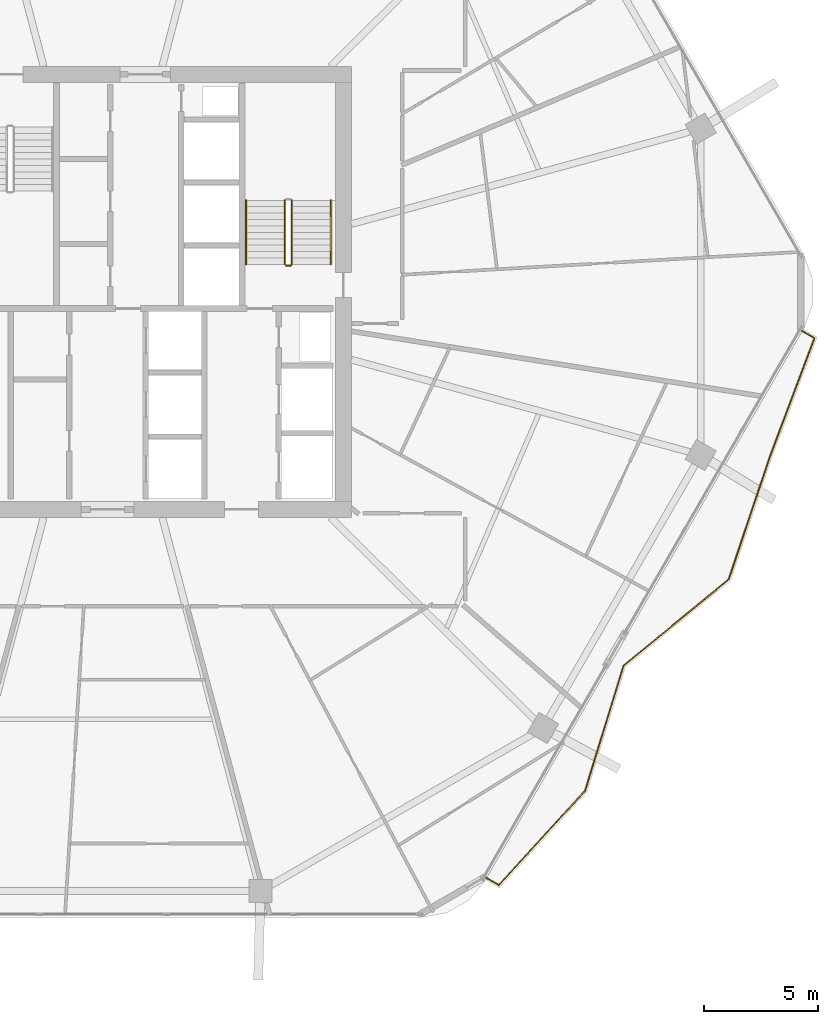
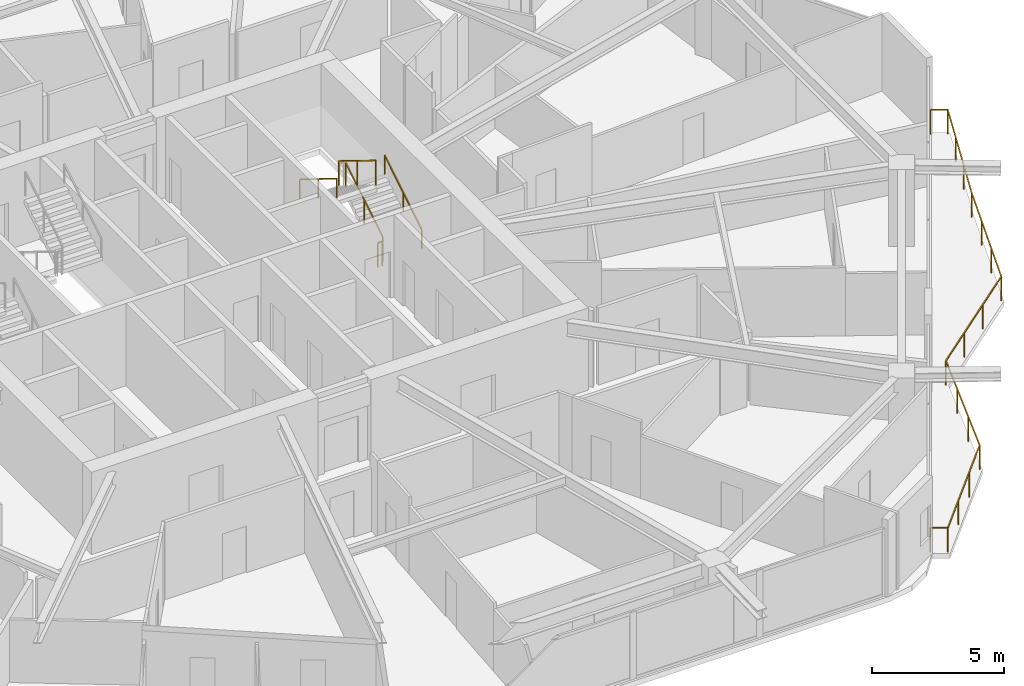
# One storey, part 24 of 26: 6 railings.
"""IFC4 building model written with IfcOpenShell, lengths in metres."""

from ifc_helpers import new_model, si_unit, direction, frame, origin, origin_2d, place, context, subcontext, project, spatial, rectangle, extrude, material, type_object, element, save


model = new_model("IFC4")

# Units and contexts
model_context = context("Model", 3, precision=1e-05, world=origin(), true_north=direction((0.0, 1.0)))
body_context = subcontext(model_context, "Body", "Model", "MODEL_VIEW")
ifc_project = project(units=[si_unit("LENGTHUNIT", "METRE"), si_unit("AREAUNIT", "SQUARE_METRE"), si_unit("VOLUMEUNIT", "CUBIC_METRE"), si_unit("PLANEANGLEUNIT", "RADIAN"), si_unit("MASSUNIT", "GRAM", prefix="KILO")], contexts=[model_context])

# Site, building, storey
site_placement = place(None, origin())
site = spatial("IfcSite", under=ifc_project, at=site_placement, CompositionType="ELEMENT")
building_placement = place(site_placement, origin())
building = spatial("IfcBuilding", under=site, at=building_placement, Name="Zuhravey Tower", CompositionType="ELEMENT")
storey_placement = place(building_placement, frame((0.0, 0.0, 165.60009765625)))
storey = spatial("IfcBuildingStorey", under=building, at=storey_placement, Name="L41", CompositionType="ELEMENT", Elevation=165.60009765625)

# Railings
ifc_material_1 = material(Name="Stainless steel 316 and laminated glass", Category="steel")
railing_type_1 = type_object("IfcRailingType", Name="Balcony & Terrace Guardrail 1150", PredefinedType="BALUSTRADE", material=ifc_material_1)
railing_1_placement = place(storey_placement, frame((66.510009765625, 30.308349609375, 0.0)))
element("IfcRailing", 1, at=railing_1_placement, inside=storey, type_object=railing_type_1, Name="L41 Face 6 Wave Balcony Guardrail GR1", PredefinedType="BALUSTRADE", context=body_context, shape_type="SweptSolid", body=[
    extrude(rectangle(XDim=0.048095703125, YDim=0.048095703125, at=origin_2d()), frame((0.001708984375, -0.0009765625, 1.1259765625), z_axis=(0.865893776595, -0.500227915708, 0.0), x_axis=(0.500227915708, 0.865893776595, 0.0)), (0.0, 0.0, 1.0), 0.65087890625),
    extrude(rectangle(XDim=0.048095703125, YDim=0.048095703125, at=origin_2d()), frame((0.56640625, -0.32958984375, 1.1259765625), z_axis=(-0.352405938532, -0.935847238863, 0.0), x_axis=(0.935847238863, -0.352405938532, 0.0)), (0.0, 0.0, 1.0), 5.543701171875),
    extrude(rectangle(XDim=0.048095703125, YDim=0.048095703125, at=origin_2d()), frame((-1.388671875, -5.521484375, 1.1259765625), z_axis=(-0.318044583369, -0.948075758043, 0.0), x_axis=(0.948075758043, -0.318044583369, 0.0)), (0.0, 0.0, 1.0), 5.63818359375),
    extrude(rectangle(XDim=0.048095703125, YDim=0.048095703125, at=origin_2d()), frame((-3.183837890625, -10.869873046875, 1.1259765625), z_axis=(-0.773058894942, -0.634334253333, 0.0), x_axis=(0.634334253333, -0.773058894942, 0.0)), (0.0, 0.0, 1.0), 5.933837890625),
    extrude(rectangle(XDim=0.048095703125, YDim=0.048095703125, at=origin_2d()), frame((-7.773193359375, -14.63720703125, 1.1259765625), z_axis=(-0.293800304262, -0.955866821903, 0.0), x_axis=(0.955866821903, -0.293800304262, 0.0)), (0.0, 0.0, 1.0), 5.703857421875),
    extrude(rectangle(XDim=0.048095703125, YDim=0.048095703125, at=origin_2d()), frame((-9.451171875, -20.0927734375, 1.1259765625), z_axis=(-0.674712748548, -0.738080420379, 0.0), x_axis=(0.738080420379, -0.674712748548, 0.0)), (0.0, 0.0, 1.0), 5.58251953125),
    extrude(rectangle(XDim=0.048095703125, YDim=0.048095703125, at=origin_2d()), frame((-13.220703125, -24.213623046875, 1.1259765625), z_axis=(-0.865932775861, 0.500160401961, 0.0), x_axis=(-0.500160401961, -0.865932775861, 0.0)), (0.0, 0.0, 1.0), 0.655517578125),
    extrude(rectangle(XDim=0.0419921875, YDim=0.0419921875, at=origin_2d()), origin(), (0.0, 0.0, 1.0), 1.099853515625),
    extrude(rectangle(XDim=0.0419921875, YDim=0.0419921875, at=origin_2d()), frame((0.567138671875, -0.32763671875, 0.0)), (0.0, 0.0, 1.0), 1.099853515625),
    extrude(rectangle(XDim=0.0419921875, YDim=0.0419921875, at=origin_2d()), frame((-0.08447265625, -2.058349609375, 0.0)), (0.0, 0.0, 1.0), 1.099853515625),
    extrude(rectangle(XDim=0.0419921875, YDim=0.0419921875, at=origin_2d()), frame((-0.736328125, -3.788818359375, 0.0)), (0.0, 0.0, 1.0), 1.099853515625),
    extrude(rectangle(XDim=0.0419921875, YDim=0.0419921875, at=origin_2d()), frame((-1.387939453125, -5.51953125, 0.0)), (0.0, 0.0, 1.0), 1.099853515625),
    extrude(rectangle(XDim=0.0419921875, YDim=0.0419921875, at=origin_2d()), frame((-1.986083984375, -7.302490234375, 0.0)), (0.0, 0.0, 1.0), 1.099853515625),
    extrude(rectangle(XDim=0.0419921875, YDim=0.0419921875, at=origin_2d()), frame((-2.584228515625, -9.085693359375, 0.0)), (0.0, 0.0, 1.0), 1.099853515625),
    extrude(rectangle(XDim=0.0419921875, YDim=0.0419921875, at=origin_2d()), frame((-3.182373046875, -10.86865234375, 0.0)), (0.0, 0.0, 1.0), 1.099853515625),
    extrude(rectangle(XDim=0.0419921875, YDim=0.0419921875, at=origin_2d()), frame((-4.71240234375, -12.124267578125, 0.0)), (0.0, 0.0, 1.0), 1.099853515625),
    extrude(rectangle(XDim=0.0419921875, YDim=0.0419921875, at=origin_2d()), frame((-6.24267578125, -13.379638671875, 0.0)), (0.0, 0.0, 1.0), 1.099853515625),
    extrude(rectangle(XDim=0.0419921875, YDim=0.0419921875, at=origin_2d()), frame((-7.772705078125, -14.63525390625, 0.0)), (0.0, 0.0, 1.0), 1.099853515625),
    extrude(rectangle(XDim=0.0419921875, YDim=0.0419921875, at=origin_2d()), frame((-8.331787109375, -16.453857421875, 0.0)), (0.0, 0.0, 1.0), 1.099853515625),
    extrude(rectangle(XDim=0.0419921875, YDim=0.0419921875, at=origin_2d()), frame((-8.890625, -18.272705078125, 0.0)), (0.0, 0.0, 1.0), 1.099853515625),
    extrude(rectangle(XDim=0.0419921875, YDim=0.0419921875, at=origin_2d()), frame((-9.44970703125, -20.09130859375, 0.0)), (0.0, 0.0, 1.0), 1.099853515625),
    extrude(rectangle(XDim=0.0419921875, YDim=0.0419921875, at=origin_2d()), frame((-10.7060546875, -21.4658203125, 0.0)), (0.0, 0.0, 1.0), 1.099853515625),
    extrude(rectangle(XDim=0.0419921875, YDim=0.0419921875, at=origin_2d()), frame((-11.962646484375, -22.840087890625, 0.0)), (0.0, 0.0, 1.0), 1.099853515625),
    extrude(rectangle(XDim=0.0419921875, YDim=0.0419921875, at=origin_2d()), frame((-13.218994140625, -24.214599609375, 0.0)), (0.0, 0.0, 1.0), 1.099853515625),
    extrude(rectangle(XDim=0.0419921875, YDim=0.0419921875, at=origin_2d()), frame((-13.7900390625, -23.884765625, 0.0)), (0.0, 0.0, 1.0), 1.099853515625),
])
ifc_material_2 = material(Name="Brushed stainless steel", Category="steel")
railing_type_2 = type_object("IfcRailingType", Name="Stair Wall Handrail 900", PredefinedType="HANDRAIL", material=ifc_material_2)
railing_2_placement = place(storey_placement, frame((45.949951171875, 33.199951171875, 0.172607421875)))
element("IfcRailing", 2, at=railing_2_placement, inside=storey, type_object=railing_type_2, Name="L41 ST2 stair handrail 1", PredefinedType="HANDRAIL", context=body_context, shape_type="SweptSolid", body=[
    extrude(rectangle(XDim=0.048095703125, YDim=0.048095703125, at=origin_2d()), frame((0.0, 0.001708984375, 0.876953125), z_axis=(0.0, 0.851089632645, 0.525020415988), x_axis=(-1.0, 0.0, 0.0)), (0.0, 0.0, 1.0), 3.285888671875),
    extrude(rectangle(XDim=0.0419921875, YDim=0.0419921875, at=origin_2d()), origin(), (0.0, 0.0, 1.0), 0.849853515625),
    extrude(rectangle(XDim=0.0419921875, YDim=0.0419921875, at=origin_2d()), frame((0.0, 1.39990234375, 0.86376953125)), (0.0, 0.0, 1.0), 0.849853515625),
    extrude(rectangle(XDim=0.0419921875, YDim=0.0419921875, at=origin_2d()), frame((0.0, 2.800048828125, 1.727294921875)), (0.0, 0.0, 1.0), 0.849853515625),
])
railing_3_placement = place(storey_placement, frame((42.25, 36.0, 2.072509765625)))
element("IfcRailing", 3, at=railing_3_placement, inside=storey, type_object=railing_type_2, Name="L41 ST2 stair handrail 2", PredefinedType="HANDRAIL", context=body_context, shape_type="SweptSolid", body=[
    extrude(rectangle(XDim=0.048095703125, YDim=0.048095703125, at=origin_2d()), frame((0.0, -0.001708984375, 0.876953125), z_axis=(0.0, -0.851089632645, 0.525020415988), x_axis=(1.0, 0.0, 0.0)), (0.0, 0.0, 1.0), 3.285888671875),
    extrude(rectangle(XDim=0.0419921875, YDim=0.0419921875, at=origin_2d()), origin(), (0.0, 0.0, 1.0), 0.849853515625),
    extrude(rectangle(XDim=0.0419921875, YDim=0.0419921875, at=origin_2d()), frame((0.0, -1.39990234375, 0.86376953125)), (0.0, 0.0, 1.0), 0.849853515625),
    extrude(rectangle(XDim=0.0419921875, YDim=0.0419921875, at=origin_2d()), frame((0.0, -2.800048828125, 1.727294921875)), (0.0, 0.0, 1.0), 0.849853515625),
])
ifc_material_3 = material(Name="Painted tubular steel", Category="steel")
railing_type_3 = type_object("IfcRailingType", Name="Stair Well Guardrail 1150", PredefinedType="GUARDRAIL", material=ifc_material_3)
railing_4_placement = place(storey_placement, frame((44.25, 33.199951171875, 0.172607421875)))
element("IfcRailing", 4, at=railing_4_placement, inside=storey, type_object=railing_type_3, Name="L41 ST2 stair guard 1", PredefinedType="GUARDRAIL", context=body_context, shape_type="SweptSolid", body=[
    extrude(rectangle(XDim=0.048095703125, YDim=0.048095703125, at=origin_2d()), frame((0.0, 0.001708984375, 1.126953125), z_axis=(0.0, 0.851089632645, 0.525020415988), x_axis=(-1.0, 0.0, 0.0)), (0.0, 0.0, 1.0), 3.285888671875),
    extrude(rectangle(XDim=0.0419921875, YDim=0.0419921875, at=origin_2d()), origin(), (0.0, 0.0, 1.0), 1.099853515625),
    extrude(rectangle(XDim=0.0419921875, YDim=0.0419921875, at=origin_2d()), frame((0.0, 1.39990234375, 0.86376953125)), (0.0, 0.0, 1.0), 1.099853515625),
    extrude(rectangle(XDim=0.0419921875, YDim=0.0419921875, at=origin_2d()), frame((0.0, 2.800048828125, 1.727294921875)), (0.0, 0.0, 1.0), 1.099853515625),
])
railing_5_placement = place(storey_placement, frame((43.949951171875, 36.0, 2.072509765625)))
element("IfcRailing", 5, at=railing_5_placement, inside=storey, type_object=railing_type_3, Name="L41 ST2 stair guard 3", PredefinedType="GUARDRAIL", context=body_context, shape_type="SweptSolid", body=[
    extrude(rectangle(XDim=0.048095703125, YDim=0.048095703125, at=origin_2d()), frame((0.0, -0.001708984375, 1.126953125), z_axis=(0.0, -0.851089632645, 0.525020415988), x_axis=(1.0, 0.0, 0.0)), (0.0, 0.0, 1.0), 3.285888671875),
    extrude(rectangle(XDim=0.0419921875, YDim=0.0419921875, at=origin_2d()), origin(), (0.0, 0.0, 1.0), 1.099853515625),
    extrude(rectangle(XDim=0.0419921875, YDim=0.0419921875, at=origin_2d()), frame((0.0, -1.39990234375, 0.86376953125)), (0.0, 0.0, 1.0), 1.099853515625),
    extrude(rectangle(XDim=0.0419921875, YDim=0.0419921875, at=origin_2d()), frame((0.0, -2.800048828125, 1.727294921875)), (0.0, 0.0, 1.0), 1.099853515625),
])
railing_6_placement = place(storey_placement, frame((44.199951171875, 33.14990234375, 0.0)))
element("IfcRailing", 6, at=railing_6_placement, inside=storey, type_object=railing_type_3, Name="L41 ST2 stair guard 4", PredefinedType="GUARDRAIL", context=body_context, shape_type="SweptSolid", body=[
    extrude(rectangle(XDim=0.048095703125, YDim=0.048095703125, at=origin_2d()), frame((-0.001953125, 0.0, 1.1259765625), z_axis=(-1.0, 0.0, 0.0), x_axis=(0.0, -1.0, 0.0)), (0.0, 0.0, 1.0), 0.196044921875),
    extrude(rectangle(XDim=0.0419921875, YDim=0.0419921875, at=origin_2d()), origin(), (0.0, 0.0, 1.0), 1.099853515625),
    extrude(rectangle(XDim=0.0419921875, YDim=0.0419921875, at=origin_2d()), frame((-0.199951171875, 0.0, 0.0)), (0.0, 0.0, 1.0), 1.099853515625),
])

save(model, "model.ifc")
